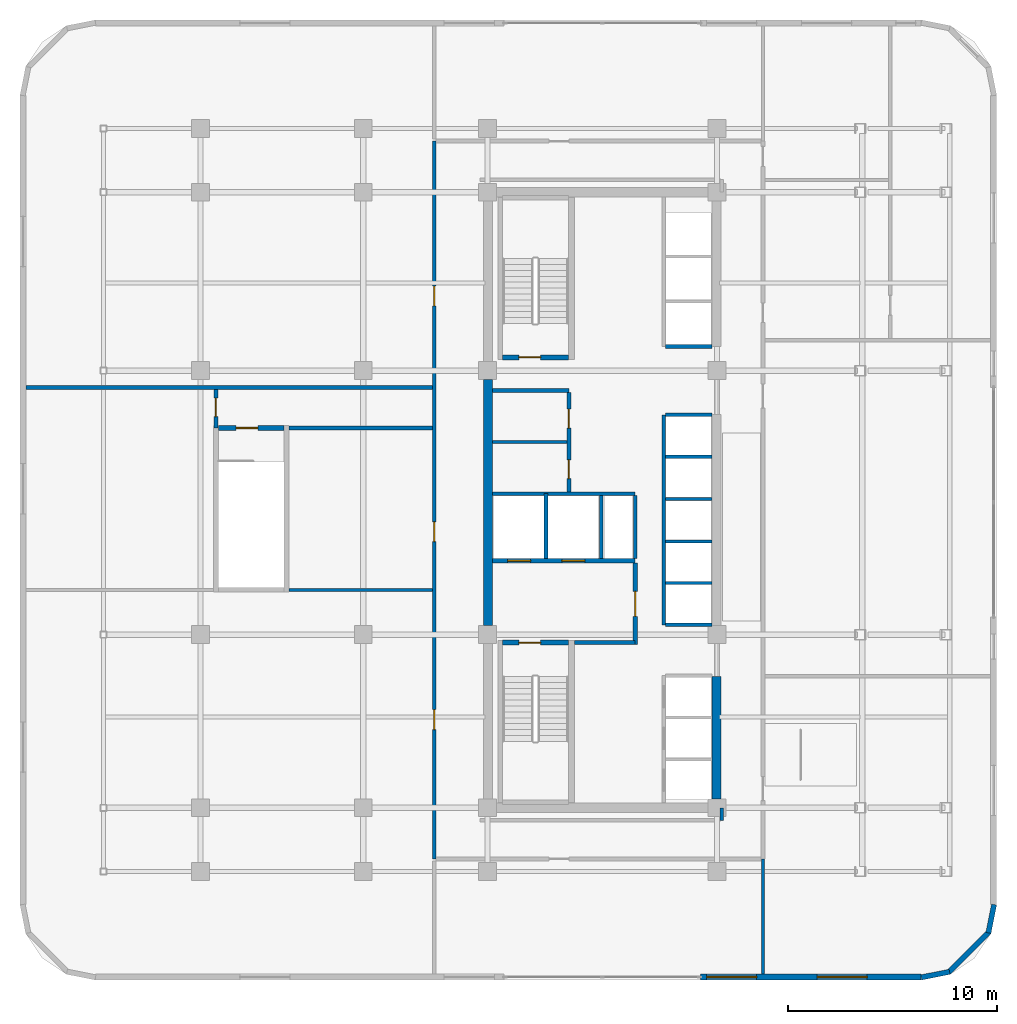
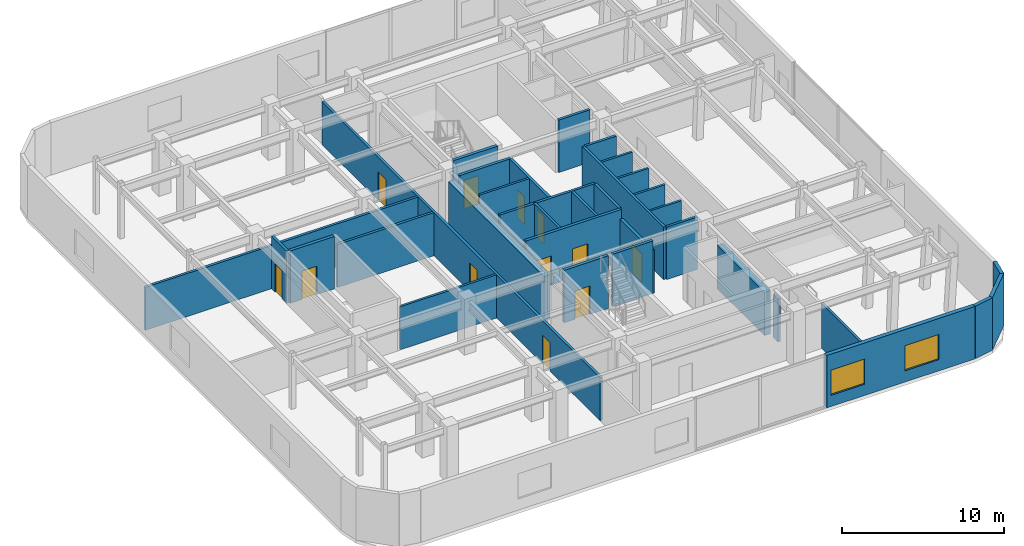
# One storey, part 9 of 13: 34 walls, 12 doors, 2 windows, 14 openings.
"""IFC4 building model written with IfcOpenShell, lengths in metres."""

from ifc_helpers import new_model, si_unit, direction, frame, frame_2d, origin, place, context, subcontext, project, spatial, rectangle, extrude, material, layer, layer_set, type_object, element, fill, save


model = new_model("IFC4")

# Units and contexts
model_context = context("Model", 3, precision=1e-05, world=origin(), true_north=direction((0.0, 1.0)))
body_context = subcontext(model_context, "Body", "Model", "MODEL_VIEW")
ifc_project = project(units=[si_unit("LENGTHUNIT", "METRE"), si_unit("AREAUNIT", "SQUARE_METRE"), si_unit("VOLUMEUNIT", "CUBIC_METRE"), si_unit("PLANEANGLEUNIT", "RADIAN"), si_unit("MASSUNIT", "GRAM", prefix="KILO")], contexts=[model_context])

# Site, building, storey
site_placement = place(None, origin())
site = spatial("IfcSite", under=ifc_project, at=site_placement, CompositionType="ELEMENT")
building_placement = place(site_placement, origin())
building = spatial("IfcBuilding", under=site, at=building_placement, Name="Ochreholt Gables", CompositionType="ELEMENT")
storey_placement = place(building_placement, frame((0.0, 0.0, 60.0)))
storey = spatial("IfcBuildingStorey", under=building, at=storey_placement, Name="L15", CompositionType="ELEMENT", Elevation=60.0)

# Walls
ifc_material_1 = material(Name="Concrete 60 MPa", Category="concrete")
ifc_layer_1 = layer(ifc_material_1, 0.449951171875, Name="Concrete 60 MPa")
ifc_layer_set_1 = layer_set([ifc_layer_1], Name="Concrete 60 MPa")
wall_type_1 = type_object("IfcWallType", Name="WALL-CSW-450", PredefinedType="SHEAR", material=ifc_layer_set_1)
wall_1_placement = place(storey_placement, frame((24.22509765625, 17.97509765625, 0.0), z_axis=(0.0, 0.0, 1.0), x_axis=(0.0, 1.0, 0.0)))
element("IfcWall", 1, at=wall_1_placement, inside=storey, type_object=wall_type_1, Name="L15 Core West Shear Wall WM", PredefinedType="SHEAR", context=body_context, shape_type="SweptSolid", body=[
    extrude(rectangle(XDim=11.7998046875, YDim=0.449951171875, at=frame_2d((5.89990234375, 0.0))), origin(), (0.0, 0.0, 1.0), 3.26708984375),
])
wall_2_placement = place(storey_placement, frame((35.175048828125, 9.675048828125, 0.0), z_axis=(0.0, 0.0, 1.0), x_axis=(0.0, 1.0, 0.0)))
element("IfcWall", 2, at=wall_2_placement, inside=storey, type_object=wall_type_1, Name="L15 Core South-East Shear Wall", PredefinedType="SHEAR", context=body_context, shape_type="SweptSolid", body=[
    extrude(rectangle(XDim=5.875, YDim=0.449951171875, at=frame_2d((2.9375, 0.0))), origin(), (0.0, 0.0, 1.0), 3.26708984375),
])

# Wall, openings, windows
ifc_material_2 = material(Name="Precast concrete 40 MPa", Category="concrete")
ifc_layer_2 = layer(ifc_material_2, 0.2900390625, Name="Precast concrete 40 MPa")
ifc_layer_set_2 = layer_set([ifc_layer_2], Name="Precast concrete 40 MPa")
wall_type_2 = type_object("IfcWallType", Name="WALL-EXT-290", PredefinedType="SOLIDWALL", material=ifc_layer_set_2)
wall_3_placement = place(storey_placement, frame((34.39990234375, 1.14501953125, 0.0), z_axis=(0.0, 0.0, 1.0), x_axis=(1.0, 0.0, 0.0)))
wall_3 = element("IfcWall", 3, at=wall_3_placement, inside=storey, type_object=wall_type_2, Name="L15 South Facade Wall 2", PredefinedType="SOLIDWALL", context=body_context, shape_type="SweptSolid", body=[
    extrude(rectangle(XDim=10.580078125, YDim=0.2900390625, at=frame_2d((5.2900390625, 0.0))), origin(), (0.0, 0.0, 1.0), 3.9599609375),
])
opening_1_placement = place(wall_3_placement, frame((0.300048828125, 0.0, 0.85009765625)))
opening_1 = element("IfcOpeningElement", 4, at=opening_1_placement, cuts=wall_3, Name="Opening WN-5", PredefinedType="OPENING", context=body_context, shape_type="SweptSolid", body=[
    extrude(rectangle(XDim=2.39990234375, YDim=1.89990234375, at=frame_2d((1.199951171875, 0.949951171875))), frame((0.0, 0.155029296875, 0.0), z_axis=(0.0, -1.0, 0.0), x_axis=(1.0, 0.0, 0.0)), (0.0, 0.0, 1.0), 0.31005859375),
])
opening_2_placement = place(wall_3_placement, frame((5.590087890625, 0.0, 0.85009765625)))
opening_2 = element("IfcOpeningElement", 5, at=opening_2_placement, cuts=wall_3, Name="Opening WN-5", PredefinedType="OPENING", context=body_context, shape_type="SweptSolid", body=[
    extrude(rectangle(XDim=2.39990234375, YDim=1.89990234375, at=frame_2d((1.199951171875, 0.949951171875))), frame((0.0, 0.155029296875, 0.0), z_axis=(0.0, -1.0, 0.0), x_axis=(1.0, 0.0, 0.0)), (0.0, 0.0, 1.0), 0.31005859375),
])
ifc_material_3 = material(Name="Triple-Glazed Thermally Broken Aluminium Window", Category="aluminium")
window_type = type_object("IfcWindowType", Name="WIN-COM-2400", PartitioningType="SINGLE_PANEL", PredefinedType="WINDOW", material=ifc_material_3)
window_1_placement = place(opening_1_placement, origin())
window_1 = element("IfcWindow", 6, at=window_1_placement, inside=storey, type_object=window_type, Name="L15 Window W-EXT-S2-L15-1", OverallHeight=1.89990234375, OverallWidth=2.39990234375, PartitioningType="SINGLE_PANEL", PredefinedType="WINDOW", context=body_context, shape_type="SweptSolid", body=[
    extrude(rectangle(XDim=2.39990234375, YDim=1.89990234375, at=frame_2d((1.199951171875, 0.949951171875))), frame((0.0, 0.030029296875, 0.0), z_axis=(0.0, -1.0, 0.0), x_axis=(1.0, 0.0, 0.0)), (0.0, 0.0, 1.0), 0.06005859375),
])
fill(opening_1, window_1)
window_2_placement = place(opening_2_placement, origin())
window_2 = element("IfcWindow", 7, at=window_2_placement, inside=storey, type_object=window_type, Name="L15 Window W-EXT-S2-L15-2", OverallHeight=1.89990234375, OverallWidth=2.39990234375, PartitioningType="SINGLE_PANEL", PredefinedType="WINDOW", context=body_context, shape_type="SweptSolid", body=[
    extrude(rectangle(XDim=2.39990234375, YDim=1.89990234375, at=frame_2d((1.199951171875, 0.949951171875))), frame((0.0, 0.030029296875, 0.0), z_axis=(0.0, -1.0, 0.0), x_axis=(1.0, 0.0, 0.0)), (0.0, 0.0, 1.0), 0.06005859375),
])
fill(opening_2, window_2)

# Walls
ifc_layer_3 = layer(ifc_material_2, 0.25, Name="Precast concrete 40 MPa")
ifc_layer_set_3 = layer_set([ifc_layer_3], Name="Precast concrete 40 MPa")
wall_type_3 = type_object("IfcWallType", Name="WALL-EXT-CNR", PredefinedType="SOLIDWALL", material=ifc_layer_set_3)
wall_4_placement = place(storey_placement, frame((44.9833984375, 1.124267578125, 0.0), z_axis=(0.0, 0.0, 1.0), x_axis=(0.980809899341, 0.19496651342, 0.0)))
element("IfcWall", 8, at=wall_4_placement, inside=storey, type_object=wall_type_3, Name="L15 Rounded Corner Wall SE-1", PredefinedType="SOLIDWALL", context=body_context, shape_type="SweptSolid", body=[
    extrude(rectangle(XDim=1.388671875, YDim=0.25, at=frame_2d((0.6943359375, 0.0))), origin(), (0.0, 0.0, 1.0), 3.9599609375),
])
wall_5_placement = place(storey_placement, frame((46.294921875, 1.367919921875, 0.0), z_axis=(0.0, 0.0, 1.0), x_axis=(0.707106781187, 0.707106781187, 0.0)))
element("IfcWall", 9, at=wall_5_placement, inside=storey, type_object=wall_type_3, Name="L15 Rounded Corner Wall SE-2", PredefinedType="SOLIDWALL", context=body_context, shape_type="SweptSolid", body=[
    extrude(rectangle(XDim=2.7392578125, YDim=0.25, at=frame_2d((1.36962890625, 0.0))), origin(), (0.0, 0.0, 1.0), 3.9599609375),
])
wall_6_placement = place(storey_placement, frame((48.205078125, 3.25439453125, 0.0), z_axis=(0.0, 0.0, 1.0), x_axis=(0.19496651342, 0.980809899341, 0.0)))
element("IfcWall", 10, at=wall_6_placement, inside=storey, type_object=wall_type_3, Name="L15 Rounded Corner Wall SE-3", PredefinedType="SOLIDWALL", context=body_context, shape_type="SweptSolid", body=[
    extrude(rectangle(XDim=1.388671875, YDim=0.25, at=frame_2d((0.6943359375, 0.0))), origin(), (0.0, 0.0, 1.0), 3.9599609375),
])

# Wall, openings, doors
ifc_material_4 = material(Name="Concrete 40 MPa", Category="concrete")
ifc_layer_4 = layer(ifc_material_4, 0.199951171875, Name="Concrete 40 MPa")
ifc_layer_set_4 = layer_set([ifc_layer_4], Name="Concrete 40 MPa")
wall_type_4 = type_object("IfcWallType", Name="WALL-INT-CF200", PredefinedType="STANDARD", material=ifc_layer_set_4)
wall_7_placement = place(storey_placement, frame((24.449951171875, 21.090087890625, 0.0), z_axis=(0.0, 0.0, 1.0), x_axis=(1.0, 0.0, 0.0)))
wall_7 = element("IfcWall", 11, at=wall_7_placement, inside=storey, type_object=wall_type_4, Name="L15 Interior Wall WI-FFN-L15", PredefinedType="STANDARD", context=body_context, shape_type="SweptSolid", body=[
    extrude(rectangle(XDim=6.830078125, YDim=0.199951171875, at=frame_2d((3.4150390625, 0.0))), origin(), (0.0, 0.0, 1.0), 3.9599609375),
])
opening_3_placement = place(wall_7_placement, frame((0.719970703125, 0.0, 0.0)))
opening_3 = element("IfcOpeningElement", 12, at=opening_3_placement, cuts=wall_7, Name="Opening LD-FF", PredefinedType="OPENING", context=body_context, shape_type="SweptSolid", body=[
    extrude(rectangle(XDim=1.10009765625, YDim=2.199951171875, at=frame_2d((0.550048828125, 1.10009765625))), frame((0.0, 0.10986328125, 0.0), z_axis=(0.0, -1.0, 0.0), x_axis=(1.0, 0.0, 0.0)), (0.0, 0.0, 1.0), 0.219970703125),
])
opening_4_placement = place(wall_7_placement, frame((3.320068359375, 0.0, 0.0)))
opening_4 = element("IfcOpeningElement", 13, at=opening_4_placement, cuts=wall_7, Name="Opening LD-FF", PredefinedType="OPENING", context=body_context, shape_type="SweptSolid", body=[
    extrude(rectangle(XDim=1.10009765625, YDim=2.199951171875, at=frame_2d((0.550048828125, 1.10009765625))), frame((0.0, 0.10986328125, 0.0), z_axis=(0.0, -1.0, 0.0), x_axis=(1.0, 0.0, 0.0)), (0.0, 0.0, 1.0), 0.219970703125),
])
ifc_material_5 = material(Name="Stainless Steel", Category="steel")
door_type_1 = type_object("IfcDoorType", Name="DR-LFT-FF1100", OperationType="NOTDEFINED", PredefinedType="DOOR", material=ifc_material_5)
door_1_placement = place(opening_3_placement, origin())
door_1 = element("IfcDoor", 14, at=door_1_placement, inside=storey, type_object=door_type_1, Name="L15 Door LD-FF1-L15", OperationType="SLIDING_TO_LEFT", OverallHeight=2.199951171875, OverallWidth=1.10009765625, PredefinedType="DOOR", context=body_context, shape_type="SweptSolid", body=[
    extrude(rectangle(XDim=1.10009765625, YDim=2.199951171875, at=frame_2d((0.550048828125, 1.10009765625))), frame((0.0, 0.02490234375, 0.0), z_axis=(0.0, -1.0, 0.0), x_axis=(1.0, 0.0, 0.0)), (0.0, 0.0, 1.0), 0.050048828125),
])
fill(opening_3, door_1)
door_2_placement = place(opening_4_placement, origin())
door_2 = element("IfcDoor", 15, at=door_2_placement, inside=storey, type_object=door_type_1, Name="L15 Door LD-FF2-L15", OperationType="SLIDING_TO_LEFT", OverallHeight=2.199951171875, OverallWidth=1.10009765625, PredefinedType="DOOR", context=body_context, shape_type="SweptSolid", body=[
    extrude(rectangle(XDim=1.10009765625, YDim=2.199951171875, at=frame_2d((0.550048828125, 1.10009765625))), frame((0.0, 0.02490234375, 0.0), z_axis=(0.0, -1.0, 0.0), x_axis=(1.0, 0.0, 0.0)), (0.0, 0.0, 1.0), 0.050048828125),
])
fill(opening_4, door_2)

# Wall
wall_8_placement = place(storey_placement, frame((28.3798828125, 17.169921875, 0.0), z_axis=(0.0, 0.0, 1.0), x_axis=(1.0, 0.0, 0.0)))
element("IfcWall", 16, at=wall_8_placement, inside=storey, type_object=wall_type_4, Name="L15 Interior Wall WI-FFS-L15", PredefinedType="STANDARD", context=body_context, shape_type="SweptSolid", body=[
    extrude(rectangle(XDim=2.900146484375, YDim=0.199951171875, at=frame_2d((1.4501953125, 0.0))), origin(), (0.0, 0.0, 1.0), 3.9599609375),
])

# Wall, opening, door
wall_9_placement = place(storey_placement, frame((31.280029296875, 17.070068359375, 0.0), z_axis=(0.0, 0.0, 1.0), x_axis=(0.0, 1.0, 0.0)))
wall_9 = element("IfcWall", 17, at=wall_9_placement, inside=storey, type_object=wall_type_4, Name="L15 Interior Wall WI-FFE-L15", PredefinedType="STANDARD", context=body_context, shape_type="SweptSolid", body=[
    extrude(rectangle(XDim=3.919921875, YDim=0.199951171875, at=frame_2d((1.9599609375, 0.0))), origin(), (0.0, 0.0, 1.0), 3.2490234375),
])
opening_5_placement = place(wall_9_placement, frame((1.35009765625, 0.0, 0.0)))
opening_5 = element("IfcOpeningElement", 18, at=opening_5_placement, cuts=wall_9, Name="Opening D-FFL", PredefinedType="OPENING", context=body_context, shape_type="SweptSolid", body=[
    extrude(rectangle(XDim=1.199951171875, YDim=2.14990234375, at=frame_2d((0.60009765625, 1.074951171875))), frame((0.0, 0.10986328125, 0.0), z_axis=(0.0, -1.0, 0.0), x_axis=(1.0, 0.0, 0.0)), (0.0, 0.0, 1.0), 0.219970703125),
])
ifc_material_6 = material(Name="Hollow Metal Steel", Category="steel")
door_type_2 = type_object("IfcDoorType", Name="DR-INT-FFL1200", OperationType="NOTDEFINED", PredefinedType="DOOR", material=ifc_material_6)
door_3_placement = place(opening_5_placement, origin())
door_3 = element("IfcDoor", 19, at=door_3_placement, inside=storey, type_object=door_type_2, Name="L15 Door D-FFL-L15", OperationType="SINGLE_SWING_LEFT", OverallHeight=2.14990234375, OverallWidth=1.199951171875, PredefinedType="DOOR", context=body_context, shape_type="SweptSolid", body=[
    extrude(rectangle(XDim=1.199951171875, YDim=2.14990234375, at=frame_2d((0.60009765625, 1.074951171875))), frame((0.0, 0.02490234375, 0.0), z_axis=(0.0, -1.0, 0.0), x_axis=(1.0, 0.0, 0.0)), (0.0, 0.0, 1.0), 0.050048828125),
])
fill(opening_5, door_3)

# Wall
wall_10_placement = place(storey_placement, frame((24.449951171875, 29.239990234375, 0.0), z_axis=(0.0, 0.0, 1.0), x_axis=(1.0, 0.0, 0.0)))
element("IfcWall", 20, at=wall_10_placement, inside=storey, type_object=wall_type_4, Name="L15 Interior Wall WI-SRVN-L15", PredefinedType="STANDARD", context=body_context, shape_type="SweptSolid", body=[
    extrude(rectangle(XDim=3.650146484375, YDim=0.199951171875, at=frame_2d((1.8251953125, 0.0))), origin(), (0.0, 0.0, 1.0), 3.9599609375),
])

# Wall, openings, doors
wall_11_placement = place(storey_placement, frame((28.10009765625, 24.389892578125, 0.0), z_axis=(0.0, 0.0, 1.0), x_axis=(0.0, 1.0, 0.0)))
wall_11 = element("IfcWall", 21, at=wall_11_placement, inside=storey, type_object=wall_type_4, Name="L15 Interior Wall WI-SRVE-L15", PredefinedType="STANDARD", context=body_context, shape_type="SweptSolid", body=[
    extrude(rectangle(XDim=4.75, YDim=0.199951171875, at=frame_2d((2.375, 0.0))), origin(), (0.0, 0.0, 1.0), 3.9599609375),
])
opening_6_placement = place(wall_11_placement, frame((0.6298828125, 0.0, 0.0)))
opening_6 = element("IfcOpeningElement", 22, at=opening_6_placement, cuts=wall_11, Name="Opening D-SV1", PredefinedType="OPENING", context=body_context, shape_type="SweptSolid", body=[
    extrude(rectangle(XDim=0.89990234375, YDim=2.10009765625, at=frame_2d((0.449951171875, 1.050048828125))), frame((0.0, 0.10986328125, 0.0), z_axis=(0.0, -1.0, 0.0), x_axis=(1.0, 0.0, 0.0)), (0.0, 0.0, 1.0), 0.219970703125),
])
opening_7_placement = place(wall_11_placement, frame((3.06005859375, 0.0, 0.0)))
opening_7 = element("IfcOpeningElement", 23, at=opening_7_placement, cuts=wall_11, Name="Opening D-SV1", PredefinedType="OPENING", context=body_context, shape_type="SweptSolid", body=[
    extrude(rectangle(XDim=0.89990234375, YDim=2.10009765625, at=frame_2d((0.449951171875, 1.050048828125))), frame((0.0, 0.10986328125, 0.0), z_axis=(0.0, -1.0, 0.0), x_axis=(1.0, 0.0, 0.0)), (0.0, 0.0, 1.0), 0.219970703125),
])
door_type_3 = type_object("IfcDoorType", Name="DR-INT-SRV900", OperationType="NOTDEFINED", PredefinedType="DOOR", material=ifc_material_6)
door_4_placement = place(opening_6_placement, origin())
door_4 = element("IfcDoor", 24, at=door_4_placement, inside=storey, type_object=door_type_3, Name="L15 Door D-SRV1-L15", OperationType="SINGLE_SWING_LEFT", OverallHeight=2.10009765625, OverallWidth=0.89990234375, PredefinedType="DOOR", context=body_context, shape_type="SweptSolid", body=[
    extrude(rectangle(XDim=0.89990234375, YDim=2.10009765625, at=frame_2d((0.449951171875, 1.050048828125))), frame((0.0, 0.02490234375, 0.0), z_axis=(0.0, -1.0, 0.0), x_axis=(1.0, 0.0, 0.0)), (0.0, 0.0, 1.0), 0.050048828125),
])
fill(opening_6, door_4)
door_5_placement = place(opening_7_placement, origin())
door_5 = element("IfcDoor", 25, at=door_5_placement, inside=storey, type_object=door_type_3, Name="L15 Door D-SRV2-L15", OperationType="SINGLE_SWING_RIGHT", OverallHeight=2.10009765625, OverallWidth=0.89990234375, PredefinedType="DOOR", context=body_context, shape_type="SweptSolid", body=[
    extrude(rectangle(XDim=0.89990234375, YDim=2.10009765625, at=frame_2d((0.449951171875, 1.050048828125))), frame((0.0, 0.02490234375, 0.0), z_axis=(0.0, -1.0, 0.0), x_axis=(1.0, 0.0, 0.0)), (0.0, 0.0, 1.0), 0.050048828125),
])
fill(opening_7, door_5)

# Wall
ifc_material_7 = material(Name="Fire-Rated Gypsum Acoustic Partition", Category="gypsum")
ifc_layer_5 = layer(ifc_material_7, 0.179931640625, Name="Fire-Rated Gypsum Acoustic Partition")
ifc_layer_set_5 = layer_set([ifc_layer_5], Name="Fire-Rated Gypsum Acoustic Partition")
wall_type_5 = type_object("IfcWallType", Name="WALL-INT-CR180", PredefinedType="STANDARD", material=ifc_layer_set_5)
wall_12_placement = place(storey_placement, frame((35.419921875, 8.64990234375, 0.0), z_axis=(0.0, 0.0, 1.0), x_axis=(0.0, 1.0, 0.0)))
element("IfcWall", 26, at=wall_12_placement, inside=storey, type_object=wall_type_5, Name="L15 Interior Wall WI-CMCSW1-L15", PredefinedType="STANDARD", context=body_context, shape_type="SweptSolid", body=[
    extrude(rectangle(XDim=0.60009765625, YDim=0.179931640625, at=frame_2d((0.300048828125, 0.0))), origin(), (0.0, 0.0, 1.0), 3.2490234375),
])

# Wall, openings, doors
wall_13_placement = place(storey_placement, frame((21.64990234375, 6.800048828125, 0.0), z_axis=(0.0, 0.0, 1.0), x_axis=(0.0, 1.0, 0.0)))
wall_13 = element("IfcWall", 27, at=wall_13_placement, inside=storey, type_object=wall_type_5, Name="L15 Interior Wall WI-CMCW-L15", PredefinedType="STANDARD", context=body_context, shape_type="SweptSolid", body=[
    extrude(rectangle(XDim=34.39990234375, YDim=0.179931640625, at=frame_2d((17.199951171875, 0.0))), origin(), (0.0, 0.0, 1.0), 3.2490234375),
])
opening_8_placement = place(wall_13_placement, frame((15.199951171875, 0.0, 0.0)))
opening_8 = element("IfcOpeningElement", 28, at=opening_8_placement, cuts=wall_13, Name="Opening D-GN1", PredefinedType="OPENING", context=body_context, shape_type="SweptSolid", body=[
    extrude(rectangle(XDim=0.949951171875, YDim=2.14990234375, at=frame_2d((0.47509765625, 1.074951171875))), frame((0.0, 0.099853515625, 0.0), z_axis=(0.0, -1.0, 0.0), x_axis=(1.0, 0.0, 0.0)), (0.0, 0.0, 1.0), 0.199951171875),
])
opening_9_placement = place(wall_13_placement, frame((6.199951171875, 0.0, 0.0)))
opening_9 = element("IfcOpeningElement", 29, at=opening_9_placement, cuts=wall_13, Name="Opening D-GN1", PredefinedType="OPENING", context=body_context, shape_type="SweptSolid", body=[
    extrude(rectangle(XDim=0.949951171875, YDim=2.14990234375, at=frame_2d((0.47509765625, 1.074951171875))), frame((0.0, 0.099853515625, 0.0), z_axis=(0.0, -1.0, 0.0), x_axis=(1.0, 0.0, 0.0)), (0.0, 0.0, 1.0), 0.199951171875),
])
opening_10_placement = place(wall_13_placement, frame((26.5, 0.0, 0.0)))
opening_10 = element("IfcOpeningElement", 30, at=opening_10_placement, cuts=wall_13, Name="Opening D-GN1", PredefinedType="OPENING", context=body_context, shape_type="SweptSolid", body=[
    extrude(rectangle(XDim=0.949951171875, YDim=2.14990234375, at=frame_2d((0.47509765625, 1.074951171875))), frame((0.0, 0.099853515625, 0.0), z_axis=(0.0, -1.0, 0.0), x_axis=(1.0, 0.0, 0.0)), (0.0, 0.0, 1.0), 0.199951171875),
])
ifc_material_8 = material(Name="Engineered Oak Timber", Category="wood")
door_type_4 = type_object("IfcDoorType", Name="DR-INT-GEN950", OperationType="NOTDEFINED", PredefinedType="DOOR", material=ifc_material_8)
door_6_placement = place(opening_8_placement, origin())
door_6 = element("IfcDoor", 31, at=door_6_placement, inside=storey, type_object=door_type_4, Name="L15 Door D-CMWMD-L15", OperationType="SINGLE_SWING_RIGHT", OverallHeight=2.14990234375, OverallWidth=0.949951171875, PredefinedType="DOOR", context=body_context, shape_type="SweptSolid", body=[
    extrude(rectangle(XDim=0.949951171875, YDim=2.14990234375, at=frame_2d((0.47509765625, 1.074951171875))), frame((0.0, 0.02490234375, 0.0), z_axis=(0.0, -1.0, 0.0), x_axis=(1.0, 0.0, 0.0)), (0.0, 0.0, 1.0), 0.050048828125),
])
fill(opening_8, door_6)
door_7_placement = place(opening_9_placement, origin())
door_7 = element("IfcDoor", 32, at=door_7_placement, inside=storey, type_object=door_type_4, Name="L15 Door D-CMW1-L15", OperationType="SINGLE_SWING_LEFT", OverallHeight=2.14990234375, OverallWidth=0.949951171875, PredefinedType="DOOR", context=body_context, shape_type="SweptSolid", body=[
    extrude(rectangle(XDim=0.949951171875, YDim=2.14990234375, at=frame_2d((0.47509765625, 1.074951171875))), frame((0.0, 0.02490234375, 0.0), z_axis=(0.0, -1.0, 0.0), x_axis=(1.0, 0.0, 0.0)), (0.0, 0.0, 1.0), 0.050048828125),
])
fill(opening_9, door_7)
door_8_placement = place(opening_10_placement, origin())
door_8 = element("IfcDoor", 33, at=door_8_placement, inside=storey, type_object=door_type_4, Name="L15 Door D-CMW2-L15", OperationType="SINGLE_SWING_RIGHT", OverallHeight=2.14990234375, OverallWidth=0.949951171875, PredefinedType="DOOR", context=body_context, shape_type="SweptSolid", body=[
    extrude(rectangle(XDim=0.949951171875, YDim=2.14990234375, at=frame_2d((0.47509765625, 1.074951171875))), frame((0.0, 0.02490234375, 0.0), z_axis=(0.0, -1.0, 0.0), x_axis=(1.0, 0.0, 0.0)), (0.0, 0.0, 1.0), 0.050048828125),
])
fill(opening_10, door_8)

# Walls
wall_14_placement = place(storey_placement, frame((14.679931640625, 27.449951171875, 0.0), z_axis=(0.0, 0.0, 1.0), x_axis=(1.0, 0.0, 0.0)))
element("IfcWall", 34, at=wall_14_placement, inside=storey, type_object=wall_type_5, Name="L15 Interior Wall WI-CMFS1-L15", PredefinedType="STANDARD", context=body_context, shape_type="SweptSolid", body=[
    extrude(rectangle(XDim=6.880126953125, YDim=0.179931640625, at=frame_2d((3.43994140625, 0.0))), origin(), (0.0, 0.0, 1.0), 3.2490234375),
])
wall_15_placement = place(storey_placement, frame((2.090087890625, 29.389892578125, 0.0), z_axis=(0.0, 0.0, 1.0), x_axis=(1.0, 0.0, 0.0)))
element("IfcWall", 35, at=wall_15_placement, inside=storey, type_object=wall_type_5, Name="L15 Interior Wall WI-CMFS2-L15", PredefinedType="STANDARD", context=body_context, shape_type="SweptSolid", body=[
    extrude(rectangle(XDim=19.469970703125, YDim=0.179931640625, at=frame_2d((9.73486328125, 0.0))), origin(), (0.0, 0.0, 1.0), 3.2490234375),
])

# Wall, opening, door
wall_16_placement = place(storey_placement, frame((11.18994140625, 27.449951171875, 0.0), z_axis=(0.0, 0.0, 1.0), x_axis=(0.0, 1.0, 0.0)))
wall_16 = element("IfcWall", 36, at=wall_16_placement, inside=storey, type_object=wall_type_5, Name="L15 Interior Wall WI-CMFS3-L15", PredefinedType="STANDARD", context=body_context, shape_type="SweptSolid", body=[
    extrude(rectangle(XDim=1.85009765625, YDim=0.179931640625, at=frame_2d((0.925048828125, 0.0))), origin(), (0.0, 0.0, 1.0), 3.9599609375),
])
opening_11_placement = place(wall_16_placement, frame((0.550048828125, 0.0, 0.0)))
opening_11 = element("IfcOpeningElement", 37, at=opening_11_placement, cuts=wall_16, Name="Opening D-GN2", PredefinedType="OPENING", context=body_context, shape_type="SweptSolid", body=[
    extrude(rectangle(XDim=0.8798828125, YDim=2.1201171875, at=frame_2d((0.43994140625, 1.06005859375))), frame((0.0, 0.099853515625, 0.0), z_axis=(0.0, -1.0, 0.0), x_axis=(1.0, 0.0, 0.0)), (0.0, 0.0, 1.0), 0.199951171875),
])
door_type_5 = type_object("IfcDoorType", Name="DR-INT-GEN880", OperationType="NOTDEFINED", PredefinedType="DOOR", material=ifc_material_8)
door_9_placement = place(opening_11_placement, origin())
door_9 = element("IfcDoor", 38, at=door_9_placement, inside=storey, type_object=door_type_5, Name="L15 Door D-CMWSG-L15", OperationType="SINGLE_SWING_LEFT", OverallHeight=2.1201171875, OverallWidth=0.8798828125, PredefinedType="DOOR", context=body_context, shape_type="SweptSolid", body=[
    extrude(rectangle(XDim=0.8798828125, YDim=2.1201171875, at=frame_2d((0.43994140625, 1.06005859375))), frame((0.0, 0.02490234375, 0.0), z_axis=(0.0, -1.0, 0.0), x_axis=(1.0, 0.0, 0.0)), (0.0, 0.0, 1.0), 0.050048828125),
])
fill(opening_11, door_9)

# Walls
ifc_material_9 = material(Name="Gypsum Acoustic Stud Partition", Category="gypsum")
ifc_layer_6 = layer(ifc_material_9, 0.159912109375, Name="Gypsum Acoustic Stud Partition")
ifc_layer_set_6 = layer_set([ifc_layer_6], Name="Gypsum Acoustic Stud Partition")
wall_type_6 = type_object("IfcWallType", Name="WALL-INT-PT160", PredefinedType="PARTITIONING", material=ifc_layer_set_6)
wall_17_placement = place(storey_placement, frame((24.449951171875, 26.780029296875, 0.0), z_axis=(0.0, 0.0, 1.0), x_axis=(1.0, 0.0, 0.0)))
element("IfcWall", 39, at=wall_17_placement, inside=storey, type_object=wall_type_6, Name="L15 Interior Wall WI-SRVP1-L15", PredefinedType="PARTITIONING", context=body_context, shape_type="SweptSolid", body=[
    extrude(rectangle(XDim=3.550048828125, YDim=0.159912109375, at=frame_2d((1.77490234375, 0.0))), origin(), (0.0, 0.0, 1.0), 3.9599609375),
])
wall_18_placement = place(storey_placement, frame((37.39990234375, 1.2900390625, 0.0), z_axis=(0.0, 0.0, 1.0), x_axis=(0.0, 1.0, 0.0)))
element("IfcWall", 40, at=wall_18_placement, inside=storey, type_object=wall_type_6, Name="L15 Interior Wall WI-CMCES-L15", PredefinedType="PARTITIONING", context=body_context, shape_type="SweptSolid", body=[
    extrude(rectangle(XDim=5.510009765625, YDim=0.159912109375, at=frame_2d((2.7548828125, 0.0))), origin(), (0.0, 0.0, 1.0), 3.408935546875),
])
wall_19_placement = place(storey_placement, frame((14.679931640625, 19.68994140625, 0.0), z_axis=(0.0, 0.0, 1.0), x_axis=(1.0, 0.0, 0.0)))
element("IfcWall", 41, at=wall_19_placement, inside=storey, type_object=wall_type_6, Name="L15 Interior Wall WI-CMWM2-L15", PredefinedType="PARTITIONING", context=body_context, shape_type="SweptSolid", body=[
    extrude(rectangle(XDim=6.880126953125, YDim=0.159912109375, at=frame_2d((3.43994140625, 0.0))), origin(), (0.0, 0.0, 1.0), 3.2490234375),
])
ifc_material_10 = material(Name="Gypsum Shaftliner and Steel Stud", Category="steel")
ifc_layer_7 = layer(ifc_material_10, 0.14990234375, Name="Gypsum Shaftliner and Steel Stud")
ifc_layer_set_7 = layer_set([ifc_layer_7], Name="Gypsum Shaftliner and Steel Stud")
wall_type_7 = type_object("IfcWallType", Name="WALL-INT-SH150", PredefinedType="STANDARD", material=ifc_layer_set_7)
for number, where, z_axis, x_axis, name in (
    (42, (32.739990234375, 20.02001953125, 0.0), (0.0, 0.0, 1.0), (1.0, 0.0, 0.0), "L15 Interior Wall WI-LFHE-DH1-L15"),
    (43, (32.739990234375, 22.02001953125, 0.0), (0.0, 0.0, 1.0), (1.0, 0.0, 0.0), "L15 Interior Wall WI-LFHE-DH2-L15"),
    (44, (32.739990234375, 24.050048828125, 0.0), (0.0, 0.0, 1.0), (1.0, 0.0, 0.0), "L15 Interior Wall WI-LFHE-DHE-L15"),
    (45, (32.739990234375, 26.070068359375, 0.0), (0.0, 0.0, 1.0), (1.0, 0.0, 0.0), "L15 Interior Wall WI-LFHE-DEX1-L15"),
):
    element("IfcWall", number, at=place(storey_placement, frame(where, z_axis=z_axis, x_axis=x_axis)), inside=storey, type_object=wall_type_7, Name=name, PredefinedType="STANDARD", context=body_context, shape_type="SweptSolid", body=[
        extrude(rectangle(XDim=2.2099609375, YDim=0.14990234375, at=frame_2d((1.10498046875, 0.0))), origin(), (0.0, 0.0, 1.0), 3.9599609375),
    ])
ifc_layer_8 = layer(ifc_material_10, 0.179931640625, Name="Gypsum Shaftliner and Steel Stud")
ifc_layer_set_8 = layer_set([ifc_layer_8], Name="Gypsum Shaftliner and Steel Stud")
wall_type_8 = type_object("IfcWallType", Name="WALL-INT-SH180", PredefinedType="STANDARD", material=ifc_layer_set_8)
wall_20_placement = place(storey_placement, frame((27.0, 21.18994140625, 0.0), z_axis=(0.0, 0.0, 1.0), x_axis=(0.0, 1.0, 0.0)))
element("IfcWall", 46, at=wall_20_placement, inside=storey, type_object=wall_type_8, Name="L15 Interior Wall WI-FFDIV-L15", PredefinedType="STANDARD", context=body_context, shape_type="SweptSolid", body=[
    extrude(rectangle(XDim=3.110107421875, YDim=0.179931640625, at=frame_2d((1.55517578125, 0.0))), origin(), (0.0, 0.0, 1.0), 3.9599609375),
])
wall_21_placement = place(storey_placement, frame((24.449951171875, 24.300048828125, 0.0), z_axis=(0.0, 0.0, 1.0), x_axis=(1.0, 0.0, 0.0)))
element("IfcWall", 47, at=wall_21_placement, inside=storey, type_object=wall_type_8, Name="L15 Interior Wall WI-FFBK-L15", PredefinedType="STANDARD", context=body_context, shape_type="SweptSolid", body=[
    extrude(rectangle(XDim=6.830078125, YDim=0.179931640625, at=frame_2d((3.4150390625, 0.0))), origin(), (0.0, 0.0, 1.0), 3.9599609375),
])
for number, where, z_axis, x_axis, name in (
    (48, (29.64990234375, 21.18994140625, 0.0), (0.0, 0.0, 1.0), (0.0, 1.0, 0.0), "L15 Interior Wall WI-FFSH-L15"),
    (49, (31.280029296875, 21.18994140625, 0.0), (0.0, 0.0, 1.0), (0.0, 1.0, 0.0), "L15 Interior Wall WI-RSE-L15"),
):
    element("IfcWall", number, at=place(storey_placement, frame(where, z_axis=z_axis, x_axis=x_axis)), inside=storey, type_object=wall_type_8, Name=name, PredefinedType="STANDARD", context=body_context, shape_type="SweptSolid", body=[
        extrude(rectangle(XDim=3.02001953125, YDim=0.179931640625, at=frame_2d((1.510009765625, 0.0))), origin(), (0.0, 0.0, 1.0), 3.9599609375),
    ])
wall_22_placement = place(storey_placement, frame((32.64990234375, 18.02001953125, 0.0), z_axis=(0.0, 0.0, 1.0), x_axis=(0.0, 1.0, 0.0)))
element("IfcWall", 50, at=wall_22_placement, inside=storey, type_object=wall_type_8, Name="L15 Interior Wall WI-LFHE-FR-L15", PredefinedType="STANDARD", context=body_context, shape_type="SweptSolid", body=[
    extrude(rectangle(XDim=10.06005859375, YDim=0.179931640625, at=frame_2d((5.030029296875, 0.0))), origin(), (0.0, 0.0, 1.0), 3.9599609375),
])
for number, where, z_axis, x_axis, name in (
    (51, (32.739990234375, 18.02001953125, 0.0), (0.0, 0.0, 1.0), (1.0, 0.0, 0.0), "L15 Interior Wall WI-LFHE-S-L15"),
    (52, (32.739990234375, 28.080078125, 0.0), (0.0, 0.0, 1.0), (1.0, 0.0, 0.0), "L15 Interior Wall WI-LFHE-N-L15"),
    (53, (32.739990234375, 31.35009765625, 0.0), (0.0, 0.0, 1.0), (1.0, 0.0, 0.0), "L15 Interior Wall WI-LFM-S-L15"),
):
    element("IfcWall", number, at=place(storey_placement, frame(where, z_axis=z_axis, x_axis=x_axis)), inside=storey, type_object=wall_type_8, Name=name, PredefinedType="STANDARD", context=body_context, shape_type="SweptSolid", body=[
        extrude(rectangle(XDim=2.2099609375, YDim=0.179931640625, at=frame_2d((1.10498046875, 0.0))), origin(), (0.0, 0.0, 1.0), 3.9599609375),
    ])

# Wall, opening, door
ifc_material_11 = material(Name="Concrete 50 MPa", Category="concrete")
ifc_layer_9 = layer(ifc_material_11, 0.219970703125, Name="Concrete 50 MPa")
ifc_layer_set_9 = layer_set([ifc_layer_9], Name="Concrete 50 MPa")
wall_type_9 = type_object("IfcWallType", Name="WALL-STW-220", PredefinedType="SHEAR", material=ifc_layer_set_9)
wall_23_placement = place(storey_placement, frame((24.919921875, 17.169921875, 0.0), z_axis=(0.0, 0.0, 1.0), x_axis=(1.0, 0.0, 0.0)))
wall_23 = element("IfcWall", 54, at=wall_23_placement, inside=storey, type_object=wall_type_9, Name="L15 Exit Stair 1 North Wall", PredefinedType="SHEAR", context=body_context, shape_type="SweptSolid", body=[
    extrude(rectangle(XDim=3.16015625, YDim=0.219970703125, at=frame_2d((1.580078125, 0.0))), origin(), (0.0, 0.0, 1.0), 3.9599609375),
])
opening_12_placement = place(wall_23_placement, frame((0.780029296875, 0.0, 0.0)))
opening_12 = element("IfcOpeningElement", 55, at=opening_12_placement, cuts=wall_23, Name="Opening D-STC", PredefinedType="OPENING", context=body_context, shape_type="SweptSolid", body=[
    extrude(rectangle(XDim=1.050048828125, YDim=2.14990234375, at=frame_2d((0.52490234375, 1.074951171875))), frame((0.0, 0.119873046875, 0.0), z_axis=(0.0, -1.0, 0.0), x_axis=(1.0, 0.0, 0.0)), (0.0, 0.0, 1.0), 0.239990234375),
])
door_type_6 = type_object("IfcDoorType", Name="DR-INT-ST1050", OperationType="NOTDEFINED", PredefinedType="DOOR", material=ifc_material_6)
door_10_placement = place(opening_12_placement, frame((1.050048828125, 0.0, 0.0), z_axis=(0.0, 0.0, 1.0), x_axis=(-1.0, 0.0, 0.0)))
door_10 = element("IfcDoor", 56, at=door_10_placement, inside=storey, type_object=door_type_6, Name="L15 Door D-ST1-L15", OperationType="SINGLE_SWING_LEFT", OverallHeight=2.14990234375, OverallWidth=1.050048828125, PredefinedType="DOOR", context=body_context, shape_type="SweptSolid", body=[
    extrude(rectangle(XDim=1.050048828125, YDim=2.14990234375, at=frame_2d((0.52490234375, 1.074951171875))), frame((0.0, 0.02490234375, 0.0), z_axis=(0.0, -1.0, 0.0), x_axis=(1.0, 0.0, 0.0)), (0.0, 0.0, 1.0), 0.050048828125),
])
fill(opening_12, door_10)

wall_24_placement = place(storey_placement, frame((24.919921875, 30.830078125, 0.0), z_axis=(0.0, 0.0, 1.0), x_axis=(1.0, 0.0, 0.0)))
wall_24 = element("IfcWall", 57, at=wall_24_placement, inside=storey, type_object=wall_type_9, Name="L15 Exit Stair 2 South Wall", PredefinedType="SHEAR", context=body_context, shape_type="SweptSolid", body=[
    extrude(rectangle(XDim=3.16015625, YDim=0.219970703125, at=frame_2d((1.580078125, 0.0))), origin(), (0.0, 0.0, 1.0), 3.9599609375),
])
opening_13_placement = place(wall_24_placement, frame((0.780029296875, 0.0, 0.0)))
opening_13 = element("IfcOpeningElement", 58, at=opening_13_placement, cuts=wall_24, Name="Opening D-STC", PredefinedType="OPENING", context=body_context, shape_type="SweptSolid", body=[
    extrude(rectangle(XDim=1.050048828125, YDim=2.14990234375, at=frame_2d((0.52490234375, 1.074951171875))), frame((0.0, 0.119873046875, 0.0), z_axis=(0.0, -1.0, 0.0), x_axis=(1.0, 0.0, 0.0)), (0.0, 0.0, 1.0), 0.239990234375),
])
door_11_placement = place(opening_13_placement, origin())
door_11 = element("IfcDoor", 59, at=door_11_placement, inside=storey, type_object=door_type_6, Name="L15 Door D-ST2-L15", OperationType="SINGLE_SWING_RIGHT", OverallHeight=2.14990234375, OverallWidth=1.050048828125, PredefinedType="DOOR", context=body_context, shape_type="SweptSolid", body=[
    extrude(rectangle(XDim=1.050048828125, YDim=2.14990234375, at=frame_2d((0.52490234375, 1.074951171875))), frame((0.0, 0.02490234375, 0.0), z_axis=(0.0, -1.0, 0.0), x_axis=(1.0, 0.0, 0.0)), (0.0, 0.0, 1.0), 0.050048828125),
])
fill(opening_13, door_11)

wall_25_placement = place(storey_placement, frame((11.300048828125, 27.449951171875, 0.0), z_axis=(0.0, 0.0, 1.0), x_axis=(1.0, 0.0, 0.0)))
wall_25 = element("IfcWall", 60, at=wall_25_placement, inside=storey, type_object=wall_type_9, Name="L15 Feature Stair ST-C1 North Wall", PredefinedType="SHEAR", context=body_context, shape_type="SweptSolid", body=[
    extrude(rectangle(XDim=3.159912109375, YDim=0.219970703125, at=frame_2d((1.580078125, 0.0))), origin(), (0.0, 0.0, 1.0), 3.9599609375),
])
opening_14_placement = place(wall_25_placement, frame((0.85009765625, 0.0, 0.0)))
opening_14 = element("IfcOpeningElement", 61, at=opening_14_placement, cuts=wall_25, Name="Opening D-STC", PredefinedType="OPENING", context=body_context, shape_type="SweptSolid", body=[
    extrude(rectangle(XDim=1.050048828125, YDim=2.14990234375, at=frame_2d((0.52490234375, 1.074951171875))), frame((0.0, 0.119873046875, 0.0), z_axis=(0.0, -1.0, 0.0), x_axis=(1.0, 0.0, 0.0)), (0.0, 0.0, 1.0), 0.239990234375),
])
door_12_placement = place(opening_14_placement, frame((1.050048828125, 0.0, 0.0), z_axis=(0.0, 0.0, 1.0), x_axis=(-1.0, 0.0, 0.0)))
door_12 = element("IfcDoor", 62, at=door_12_placement, inside=storey, type_object=door_type_6, Name="L15 Door D-FST-L15", OperationType="SINGLE_SWING_LEFT", OverallHeight=2.14990234375, OverallWidth=1.050048828125, PredefinedType="DOOR", context=body_context, shape_type="SweptSolid", body=[
    extrude(rectangle(XDim=1.050048828125, YDim=2.14990234375, at=frame_2d((0.52490234375, 1.074951171875))), frame((0.0, 0.02490234375, 0.0), z_axis=(0.0, -1.0, 0.0), x_axis=(1.0, 0.0, 0.0)), (0.0, 0.0, 1.0), 0.050048828125),
])
fill(opening_14, door_12)

save(model, "model.ifc")
